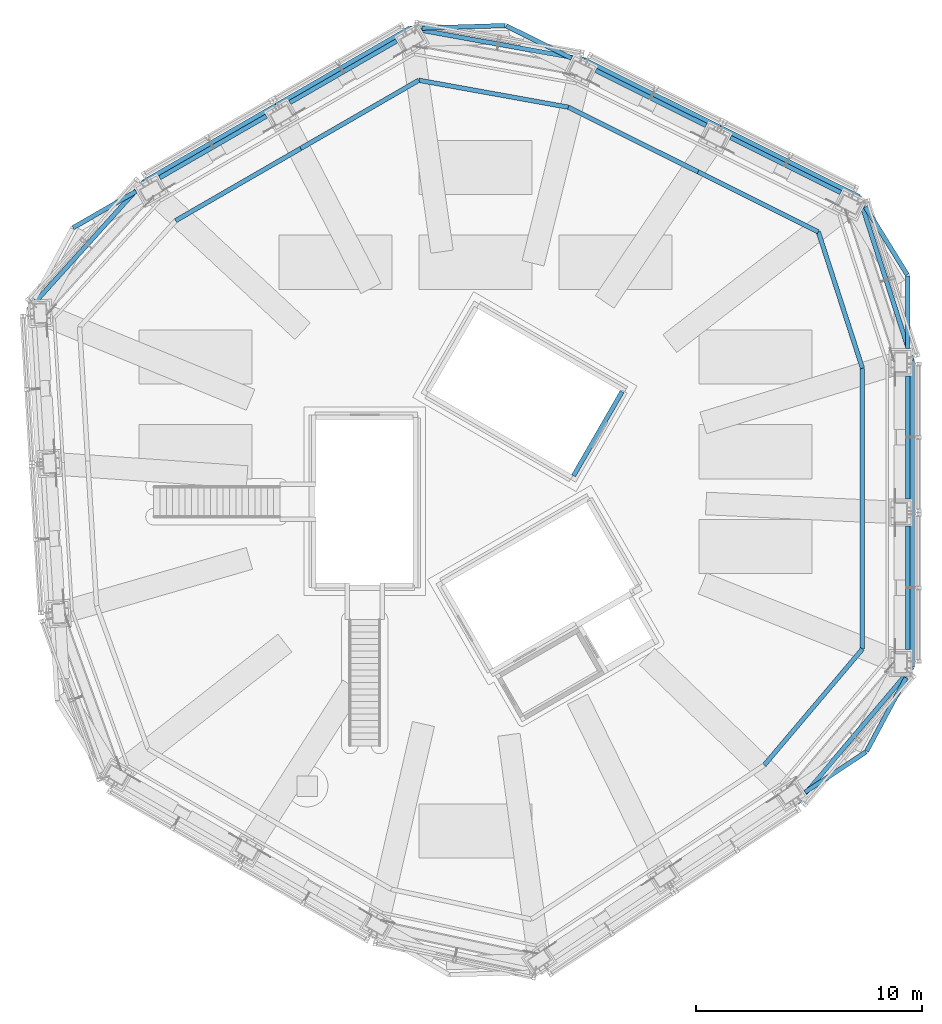
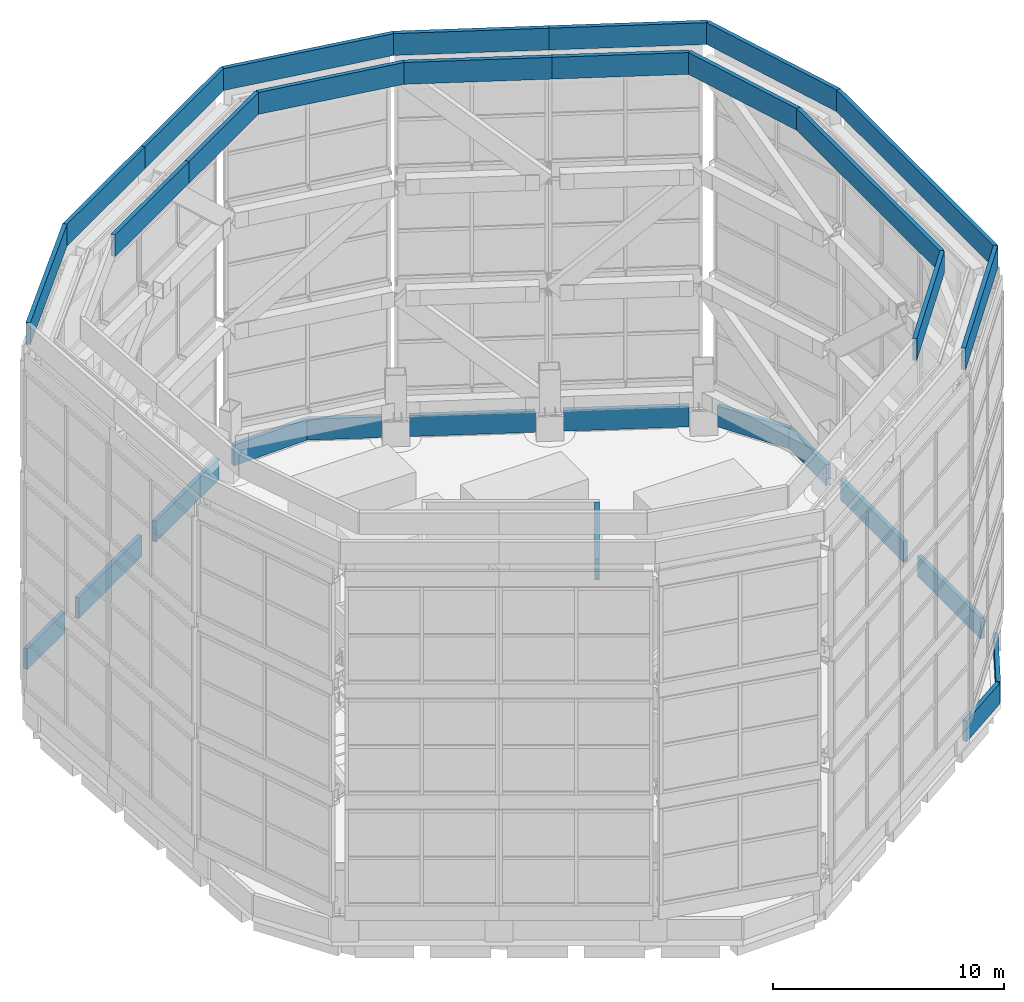
# One storey, part 22 of 46: 31 walls.
"""IFC4 building model written with IfcOpenShell, lengths in metres."""

from ifc_helpers import new_model, si_unit, direction, frame, frame_2d, origin, place, context, subcontext, project, spatial, rectangle, extrude, material, layer, layer_set, type_object, element, save


model = new_model("IFC4")

# Units and contexts
model_context = context("Model", 3, precision=1e-05, world=origin(), true_north=direction((0.0, 1.0)))
body_context = subcontext(model_context, "Body", "Model", "MODEL_VIEW")
ifc_project = project(units=[si_unit("LENGTHUNIT", "METRE"), si_unit("AREAUNIT", "SQUARE_METRE"), si_unit("VOLUMEUNIT", "CUBIC_METRE"), si_unit("PLANEANGLEUNIT", "RADIAN"), si_unit("MASSUNIT", "GRAM", prefix="KILO")], contexts=[model_context])

# Site, building, storey
site_placement = place(None, origin())
site = spatial("IfcSite", under=ifc_project, at=site_placement, CompositionType="ELEMENT")
building_placement = place(site_placement, origin())
building = spatial("IfcBuilding", under=site, at=building_placement, Name="Vanh Sen Convention Tower", CompositionType="ELEMENT")
storey_placement = place(building_placement, frame((0.0, 0.0, 305.0)))
storey = spatial("IfcBuildingStorey", under=building, at=storey_placement, Name="Roof level", CompositionType="ELEMENT", Elevation=305.0)

# Walls
ifc_material_1 = material(Name="Concrete C50/60", Category="concrete")
ifc_layer_1 = layer(ifc_material_1, 0.199951171875)
ifc_layer_set_1 = layer_set([ifc_layer_1], Name="Concrete C50/60")
wall_type_1 = type_object("IfcWallType", Name="Crown deck parapet 200", PredefinedType="PARAPET", material=ifc_layer_set_1)
wall_1_placement = place(storey_placement, frame((19.300048828125, 5.858642578125, 20.0), z_axis=(0.0, 0.0, 1.0), x_axis=(-0.307732467795, 0.95147292566, 0.0)))
element("IfcWall", 1, at=wall_1_placement, inside=storey, type_object=wall_type_1, Name="Crown deck parapet outer 01", PredefinedType="PARAPET", context=body_context, shape_type="SweptSolid", body=[
    extrude(rectangle(XDim=7.6240234375, YDim=0.199951171875, at=frame_2d((3.81201171875, 0.0))), origin(), (0.0, 0.0, 1.0), 1.14990234375),
])
wall_2_placement = place(storey_placement, frame((16.953857421875, 13.11279296875, 20.0), z_axis=(0.0, 0.0, 1.0), x_axis=(-0.894923896968, 0.446218801302, 0.0)))
element("IfcWall", 2, at=wall_2_placement, inside=storey, type_object=wall_type_1, Name="Crown deck parapet outer 02", PredefinedType="PARAPET", context=body_context, shape_type="SweptSolid", body=[
    extrude(rectangle(XDim=6.87353515625, YDim=0.199951171875, at=frame_2d((3.436767578125, 0.0))), origin(), (0.0, 0.0, 1.0), 1.14990234375),
])
wall_3_placement = place(storey_placement, frame((10.802490234375, 16.179931640625, 20.0), z_axis=(0.0, 0.0, 1.0), x_axis=(-0.894941370104, 0.446183755954, 0.0)))
element("IfcWall", 3, at=wall_3_placement, inside=storey, type_object=wall_type_1, Name="Crown deck parapet outer 03", PredefinedType="PARAPET", context=body_context, shape_type="SweptSolid", body=[
    extrude(rectangle(XDim=6.734619140625, YDim=0.199951171875, at=frame_2d((3.3671875, 0.0))), origin(), (0.0, 0.0, 1.0), 1.14990234375),
])
wall_4_placement = place(storey_placement, frame((4.775390625, 19.184814453125, 20.0), z_axis=(0.0, 0.0, 1.0), x_axis=(-0.984118563551, 0.177512402028, 0.0)))
element("IfcWall", 4, at=wall_4_placement, inside=storey, type_object=wall_type_1, Name="Crown deck parapet outer 04", PredefinedType="PARAPET", context=body_context, shape_type="SweptSolid", body=[
    extrude(rectangle(XDim=7.85595703125, YDim=0.199951171875, at=frame_2d((3.927978515625, 0.0))), origin(), (0.0, 0.0, 1.0), 1.14990234375),
])
wall_5_placement = place(storey_placement, frame((-2.955810546875, 20.579345703125, 20.0), z_axis=(0.0, 0.0, 1.0), x_axis=(-0.866018125449, -0.500012606236, 0.0)))
element("IfcWall", 5, at=wall_5_placement, inside=storey, type_object=wall_type_1, Name="Crown deck parapet outer 05", PredefinedType="PARAPET", context=body_context, shape_type="SweptSolid", body=[
    extrude(rectangle(XDim=6.846435546875, YDim=0.199951171875, at=frame_2d((3.42333984375, 0.0))), origin(), (0.0, 0.0, 1.0), 1.14990234375),
])
wall_6_placement = place(storey_placement, frame((-8.885009765625, 17.156005859375, 20.0), z_axis=(0.0, 0.0, 1.0), x_axis=(-0.866023977509, -0.500002470373, 0.0)))
element("IfcWall", 6, at=wall_6_placement, inside=storey, type_object=wall_type_1, Name="Crown deck parapet outer 06", PredefinedType="PARAPET", context=body_context, shape_type="SweptSolid", body=[
    extrude(rectangle(XDim=6.7421875, YDim=0.199951171875, at=frame_2d((3.37109375, 0.0))), origin(), (0.0, 0.0, 1.0), 1.14990234375),
])
wall_7_placement = place(storey_placement, frame((-14.723876953125, 13.784912109375, 20.0), z_axis=(0.0, 0.0, 1.0), x_axis=(-0.670129801956, -0.742243927918, 0.0)))
element("IfcWall", 7, at=wall_7_placement, inside=storey, type_object=wall_type_1, Name="Crown deck parapet outer 07", PredefinedType="PARAPET", context=body_context, shape_type="SweptSolid", body=[
    extrude(rectangle(XDim=7.6240234375, YDim=0.199951171875, at=frame_2d((3.81201171875, 0.0))), origin(), (0.0, 0.0, 1.0), 1.14990234375),
])
wall_8_placement = place(storey_placement, frame((14.226806640625, -13.72802734375, 20.0), z_axis=(0.0, 0.0, 1.0), x_axis=(0.645776447442, 0.763526541732, 0.0)))
element("IfcWall", 8, at=wall_8_placement, inside=storey, type_object=wall_type_1, Name="Crown deck parapet outer 16", PredefinedType="PARAPET", context=body_context, shape_type="SweptSolid", body=[
    extrude(rectangle(XDim=7.85595703125, YDim=0.199951171875, at=frame_2d((3.927978515625, 0.0))), origin(), (0.0, 0.0, 1.0), 1.14990234375),
])
wall_9_placement = place(storey_placement, frame((19.300048828125, -7.729736328125, 20.0), z_axis=(0.0, 0.0, 1.0), x_axis=(0.0, 1.0, 0.0)))
element("IfcWall", 9, at=wall_9_placement, inside=storey, type_object=wall_type_1, Name="Crown deck parapet outer 17", PredefinedType="PARAPET", context=body_context, shape_type="SweptSolid", body=[
    extrude(rectangle(XDim=13.58837890625, YDim=0.199951171875, at=frame_2d((6.794189453125, 0.0))), origin(), (0.0, 0.0, 1.0), 1.14990234375),
])
wall_10_placement = place(storey_placement, frame((17.10009765625, 5.51171875, 20.0), z_axis=(0.0, 0.0, 1.0), x_axis=(-0.307741499866, 0.951470004393, 0.0)))
element("IfcWall", 10, at=wall_10_placement, inside=storey, type_object=wall_type_1, Name="Crown deck parapet inner 01", PredefinedType="PARAPET", context=body_context, shape_type="SweptSolid", body=[
    extrude(rectangle(XDim=6.35302734375, YDim=0.199951171875, at=frame_2d((3.176513671875, 0.0))), origin(), (0.0, 0.0, 1.0), 1.14990234375),
])
wall_11_placement = place(storey_placement, frame((15.14501953125, 11.556396484375, 20.0), z_axis=(0.0, 0.0, 1.0), x_axis=(-0.894927300592, 0.446211975024, 0.0)))
element("IfcWall", 11, at=wall_11_placement, inside=storey, type_object=wall_type_1, Name="Crown deck parapet inner 02", PredefinedType="PARAPET", context=body_context, shape_type="SweptSolid", body=[
    extrude(rectangle(XDim=5.948974609375, YDim=0.199951171875, at=frame_2d((2.974609375, 0.0))), origin(), (0.0, 0.0, 1.0), 1.14990234375),
])
wall_12_placement = place(storey_placement, frame((9.821044921875, 14.2109375, 20.0), z_axis=(0.0, 0.0, 1.0), x_axis=(-0.894936155559, 0.44619421497, 0.0)))
element("IfcWall", 12, at=wall_12_placement, inside=storey, type_object=wall_type_1, Name="Crown deck parapet inner 03", PredefinedType="PARAPET", context=body_context, shape_type="SweptSolid", body=[
    extrude(rectangle(XDim=6.42041015625, YDim=0.199951171875, at=frame_2d((3.210205078125, 0.0))), origin(), (0.0, 0.0, 1.0), 1.14990234375),
])
wall_13_placement = place(storey_placement, frame((4.0751953125, 17.07568359375, 20.0), z_axis=(0.0, 0.0, 1.0), x_axis=(-0.984121205446, 0.177497754892, 0.0)))
element("IfcWall", 13, at=wall_13_placement, inside=storey, type_object=wall_type_1, Name="Crown deck parapet inner 04", PredefinedType="PARAPET", context=body_context, shape_type="SweptSolid", body=[
    extrude(rectangle(XDim=6.735595703125, YDim=0.199951171875, at=frame_2d((3.36767578125, 0.0))), origin(), (0.0, 0.0, 1.0), 1.14990234375),
])
wall_14_placement = place(storey_placement, frame((-2.553466796875, 18.271240234375, 20.0), z_axis=(0.0, 0.0, 1.0), x_axis=(-0.866015980925, -0.500016320516, 0.0)))
element("IfcWall", 14, at=wall_14_placement, inside=storey, type_object=wall_type_1, Name="Crown deck parapet inner 05", PredefinedType="PARAPET", context=body_context, shape_type="SweptSolid", body=[
    extrude(rectangle(XDim=6.040771484375, YDim=0.199951171875, at=frame_2d((3.0205078125, 0.0))), origin(), (0.0, 0.0, 1.0), 1.14990234375),
])
wall_15_placement = place(storey_placement, frame((-7.784912109375, 15.250732421875, 20.0), z_axis=(0.0, 0.0, 1.0), x_axis=(-0.866012027936, -0.500023166934, 0.0)))
element("IfcWall", 15, at=wall_15_placement, inside=storey, type_object=wall_type_1, Name="Crown deck parapet inner 06", PredefinedType="PARAPET", context=body_context, shape_type="SweptSolid", body=[
    extrude(rectangle(XDim=6.395263671875, YDim=0.199951171875, at=frame_2d((3.19775390625, 0.0))), origin(), (0.0, 0.0, 1.0), 1.14990234375),
])
wall_16_placement = place(storey_placement, frame((12.750244140625, -12.067138671875, 20.0), z_axis=(0.0, 0.0, 1.0), x_axis=(0.645789496691, 0.763515504731, 0.0)))
element("IfcWall", 16, at=wall_16_placement, inside=storey, type_object=wall_type_1, Name="Crown deck parapet inner 16", PredefinedType="PARAPET", context=body_context, shape_type="SweptSolid", body=[
    extrude(rectangle(XDim=6.735595703125, YDim=0.199951171875, at=frame_2d((3.36767578125, 0.0))), origin(), (0.0, 0.0, 1.0), 1.14990234375),
])
wall_17_placement = place(storey_placement, frame((17.10009765625, -6.92431640625, 20.0), z_axis=(0.0, 0.0, 1.0), x_axis=(0.0, 1.0, 0.0)))
element("IfcWall", 17, at=wall_17_placement, inside=storey, type_object=wall_type_1, Name="Crown deck parapet inner 17", PredefinedType="PARAPET", context=body_context, shape_type="SweptSolid", body=[
    extrude(rectangle(XDim=12.43603515625, YDim=0.199951171875, at=frame_2d((6.218017578125, 0.0))), origin(), (0.0, 0.0, 1.0), 1.14990234375),
])
ifc_material_2 = material(Name="Concrete C40/50", Category="concrete")
ifc_layer_2 = layer(ifc_material_2, 0.199951171875)
ifc_layer_set_2 = layer_set([ifc_layer_2], Name="Concrete C40/50")
wall_type_2 = type_object("IfcWallType", Name="Head-house roof parapet 200", PredefinedType="PARAPET", material=ifc_layer_set_2)
wall_18_placement = place(storey_placement, frame((4.30126953125, 0.75, 3.60009765625), z_axis=(0.0, 0.0, 1.0), x_axis=(0.499986217557, 0.866033360935, 0.0)))
element("IfcWall", 18, at=wall_18_placement, inside=storey, type_object=wall_type_2, Name="Roof parapet Roof level", PredefinedType="PARAPET", context=body_context, shape_type="SweptSolid", body=[
    extrude(rectangle(XDim=4.2998046875, YDim=0.199951171875, at=frame_2d((2.14990234375, 0.0))), origin(), (0.0, 0.0, 1.0), 1.099853515625),
])
ifc_layer_3 = layer(ifc_material_1, 0.199951171875)
ifc_layer_set_3 = layer_set([ifc_layer_3], Name="Concrete C50/60")
wall_type_3 = type_object("IfcWallType", Name="Roof parapet 200", PredefinedType="PARAPET", material=ifc_layer_set_3)
wall_19_placement = place(storey_placement, frame((19.10009765625, -6.944580078125, 0.0), z_axis=(0.0, 0.0, 1.0), x_axis=(0.0, 1.0, 0.0)))
element("IfcWall", 19, at=wall_19_placement, inside=storey, type_object=wall_type_3, Name="Roof parapet E 1", PredefinedType="PARAPET", context=body_context, shape_type="SweptSolid", body=[
    extrude(rectangle(XDim=5.459228515625, YDim=0.199951171875, at=frame_2d((2.7294921875, 0.0))), origin(), (0.0, 0.0, 1.0), 1.10009765625),
])
wall_20_placement = place(storey_placement, frame((19.10009765625, -0.281494140625, 0.0), z_axis=(0.0, 0.0, 1.0), x_axis=(0.0, 1.0, 0.0)))
element("IfcWall", 20, at=wall_20_placement, inside=storey, type_object=wall_type_3, Name="Roof parapet E 2", PredefinedType="PARAPET", context=body_context, shape_type="SweptSolid", body=[
    extrude(rectangle(XDim=5.45947265625, YDim=0.199951171875, at=frame_2d((2.729736328125, 0.0))), origin(), (0.0, 0.0, 1.0), 1.10009765625),
])
wall_21_placement = place(storey_placement, frame((19.10009765625, 6.3818359375, 0.0), z_axis=(0.0, 0.0, 1.0), x_axis=(0.0, 1.0, 0.0)))
element("IfcWall", 21, at=wall_21_placement, inside=storey, type_object=wall_type_3, Name="Roof parapet E 3", PredefinedType="PARAPET", context=body_context, shape_type="SweptSolid", body=[
    extrude(rectangle(XDim=3.22265625, YDim=0.199951171875, at=frame_2d((1.611328125, 0.0))), origin(), (0.0, 0.0, 1.0), 1.10009765625),
])
wall_22_placement = place(storey_placement, frame((19.0849609375, 9.6572265625, 0.0), z_axis=(0.0, 0.0, 1.0), x_axis=(-0.526192865483, 0.850365255825, 0.0)))
element("IfcWall", 22, at=wall_22_placement, inside=storey, type_object=wall_type_3, Name="Roof parapet CH1", PredefinedType="PARAPET", context=body_context, shape_type="SweptSolid", body=[
    extrude(rectangle(XDim=3.53369140625, YDim=0.199951171875, at=frame_2d((1.766845703125, 0.0))), origin(), (0.0, 0.0, 1.0), 1.10009765625),
])
for number, where, z_axis, x_axis, name in (
    (23, (16.1376953125, 13.29638671875, 0.0), (0.0, 0.0, 1.0), (-0.894918584529, 0.446229455621, 0.0), "Roof parapet NE 1"),
    (24, (10.174560546875, 16.26953125, 0.0), (0.0, 0.0, 1.0), (-0.894945346301, 0.446175780534, 0.0), "Roof parapet NE 2"),
):
    element("IfcWall", number, at=place(storey_placement, frame(where, z_axis=z_axis, x_axis=x_axis)), inside=storey, type_object=wall_type_3, Name=name, PredefinedType="PARAPET", context=body_context, shape_type="SweptSolid", body=[
        extrude(rectangle(XDim=5.459228515625, YDim=0.199951171875, at=frame_2d((2.7294921875, 0.0))), origin(), (0.0, 0.0, 1.0), 1.10009765625),
    ])
wall_23_placement = place(storey_placement, frame((4.21142578125, 19.24267578125, 0.0), z_axis=(0.0, 0.0, 1.0), x_axis=(-0.894940673106, 0.446185153968, 0.0)))
element("IfcWall", 25, at=wall_23_placement, inside=storey, type_object=wall_type_3, Name="Roof parapet NE 3", PredefinedType="PARAPET", context=body_context, shape_type="SweptSolid", body=[
    extrude(rectangle(XDim=3.2294921875, YDim=0.199951171875, at=frame_2d((1.61474609375, 0.0))), origin(), (0.0, 0.0, 1.0), 1.10009765625),
])
wall_24_placement = place(storey_placement, frame((1.273681640625, 20.694091796875, 0.0), z_axis=(0.0, 0.0, 1.0), x_axis=(-0.999533752193, -0.03053323152, 0.0)))
element("IfcWall", 26, at=wall_24_placement, inside=storey, type_object=wall_type_3, Name="Roof parapet CH2", PredefinedType="PARAPET", context=body_context, shape_type="SweptSolid", body=[
    extrude(rectangle(XDim=3.694091796875, YDim=0.199951171875, at=frame_2d((1.84716796875, 0.0))), origin(), (0.0, 0.0, 1.0), 1.10009765625),
])
wall_25_placement = place(storey_placement, frame((-3.53564453125, 20.013427734375, 0.0), z_axis=(0.0, 0.0, 1.0), x_axis=(-0.866024732113, -0.500001163367, 0.0)))
element("IfcWall", 27, at=wall_25_placement, inside=storey, type_object=wall_type_3, Name="Roof parapet NW 1", PredefinedType="PARAPET", context=body_context, shape_type="SweptSolid", body=[
    extrude(rectangle(XDim=5.45947265625, YDim=0.199951171875, at=frame_2d((2.729736328125, 0.0))), origin(), (0.0, 0.0, 1.0), 1.10009765625),
])
wall_26_placement = place(storey_placement, frame((-9.306396484375, 16.681884765625, 0.0), z_axis=(0.0, 0.0, 1.0), x_axis=(-0.866013551706, -0.50002052784, 0.0)))
element("IfcWall", 28, at=wall_26_placement, inside=storey, type_object=wall_type_3, Name="Roof parapet NW 2", PredefinedType="PARAPET", context=body_context, shape_type="SweptSolid", body=[
    extrude(rectangle(XDim=5.459228515625, YDim=0.199951171875, at=frame_2d((2.7294921875, 0.0))), origin(), (0.0, 0.0, 1.0), 1.10009765625),
])
wall_27_placement = place(storey_placement, frame((-15.076904296875, 13.35009765625, 0.0), z_axis=(0.0, 0.0, 1.0), x_axis=(-0.866034203951, -0.499984757355, 0.0)))
element("IfcWall", 29, at=wall_27_placement, inside=storey, type_object=wall_type_3, Name="Roof parapet NW 3", PredefinedType="PARAPET", context=body_context, shape_type="SweptSolid", body=[
    extrude(rectangle(XDim=3.22265625, YDim=0.199951171875, at=frame_2d((1.611328125, 0.0))), origin(), (0.0, 0.0, 1.0), 1.10009765625),
])
wall_28_placement = place(storey_placement, frame((14.558837890625, -13.2685546875, 0.0), z_axis=(0.0, 0.0, 1.0), x_axis=(0.833871825064, 0.551958131894, 0.0)))
element("IfcWall", 30, at=wall_28_placement, inside=storey, type_object=wall_type_3, Name="Roof parapet SE 3", PredefinedType="PARAPET", context=body_context, shape_type="SweptSolid", body=[
    extrude(rectangle(XDim=3.229248046875, YDim=0.199951171875, at=frame_2d((1.61474609375, 0.0))), origin(), (0.0, 0.0, 1.0), 1.10009765625),
])
wall_29_placement = place(storey_placement, frame((17.28466796875, -11.449951171875, 0.0), z_axis=(0.0, 0.0, 1.0), x_axis=(0.473323254659, 0.880888810577, 0.0)))
element("IfcWall", 31, at=wall_29_placement, inside=storey, type_object=wall_type_3, Name="Roof parapet CH6", PredefinedType="PARAPET", context=body_context, shape_type="SweptSolid", body=[
    extrude(rectangle(XDim=3.694091796875, YDim=0.199951171875, at=frame_2d((1.84716796875, 0.0))), origin(), (0.0, 0.0, 1.0), 1.10009765625),
])

save(model, "model.ifc")
